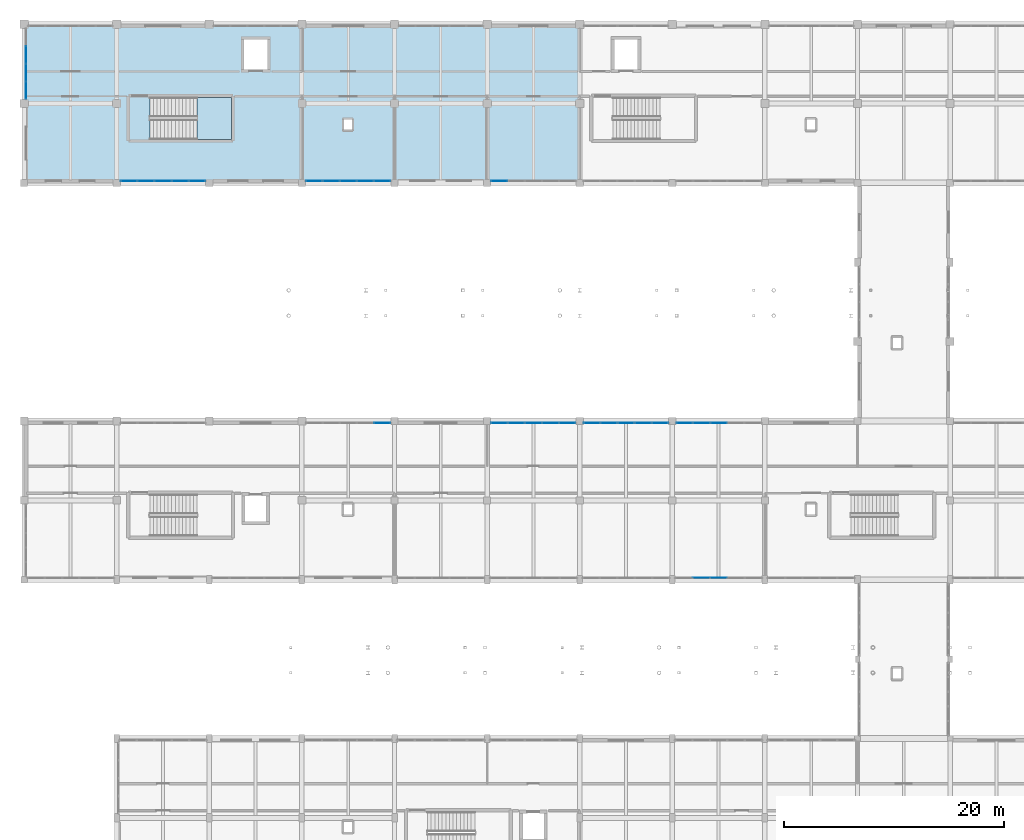
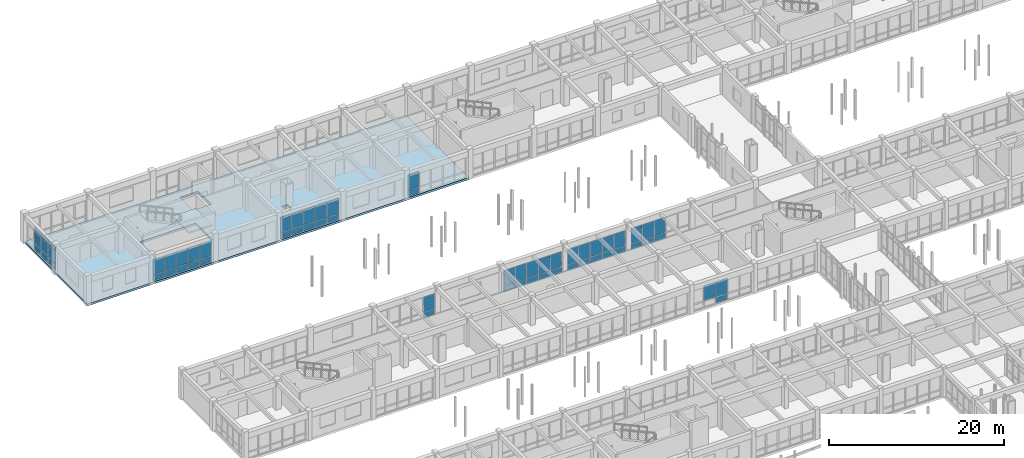
# One storey, part 108 of 147: 62 plates, 2 slabs, 10 elements without a shape of their own.
"""IFC4 building model written with IfcOpenShell, lengths in metres."""

from ifc_helpers import new_model, si_unit, direction, frame, origin, origin_2d, place, context, subcontext, project, spatial, polyline, rectangle, outline, extrude, material, layer, layer_set, type_object, element, aggregate, save


model = new_model("IFC4")

# Units and contexts
model_context = context("Model", 3, precision=1e-05, world=origin(), true_north=direction((0.0, 1.0)))
body_context = subcontext(model_context, "Body", "Model", "MODEL_VIEW")
ifc_project = project(units=[si_unit("LENGTHUNIT", "METRE"), si_unit("AREAUNIT", "SQUARE_METRE"), si_unit("VOLUMEUNIT", "CUBIC_METRE"), si_unit("PLANEANGLEUNIT", "RADIAN"), si_unit("MASSUNIT", "GRAM", prefix="KILO")], contexts=[model_context])

# Site, building, storey
site_placement = place(None, origin())
site = spatial("IfcSite", under=ifc_project, at=site_placement, CompositionType="ELEMENT")
building_placement = place(site_placement, origin())
building = spatial("IfcBuilding", under=site, at=building_placement, Name="Malvenik Polytechnic", CompositionType="ELEMENT")
storey_placement = place(building_placement, frame((0.0, 0.0, 5.10009765625)))
storey = spatial("IfcBuildingStorey", under=building, at=storey_placement, Name="L01", CompositionType="ELEMENT", Elevation=5.10009765625)

# Curtain wall, plates
ifc_material_1 = material(Name="Anodised aluminium 6060-T6", Category="aluminium")
curtain_wall_type_1 = type_object("IfcCurtainWallType", Name="ARC-CW-CW-02", PredefinedType="NOTDEFINED", material=ifc_material_1)
curtain_wall_1_placement = place(storey_placement, origin())
curtain_wall_1 = element("IfcCurtainWall", 1, at=curtain_wall_1_placement, inside=storey, type_object=curtain_wall_type_1, Name="Unitised Curtain Wall CW-02 L01 #26", PredefinedType="NOTDEFINED")
ifc_material_2 = material(Name="Insulated low-E double glazing 8-16-8", Category="glass")
ifc_layer_1 = layer(ifc_material_2, 0.028076171875)
ifc_layer_set_1 = layer_set([ifc_layer_1], Name="Insulated low-E double glazing 8-16-8")
plate_type_1 = type_object("IfcPlateType", Name="ARC-CWP-CP-GLZ28", PredefinedType="CURTAIN_PANEL", material=ifc_layer_set_1)
plate_1_placement = place(storey_placement, frame((63.0, 79.3701171875, 0.929931640625), z_axis=(0.0, 0.0, 1.0), x_axis=(-1.0, 0.0, 0.0)))
plate_1 = element("IfcPlate", 2, at=plate_1_placement, type_object=plate_type_1, Name="CW-02 panel 3.2", PredefinedType="CURTAIN_PANEL", context=body_context, shape_type="SweptSolid", body=[
    extrude(rectangle(XDim=1.520751953125, YDim=0.028076171875, at=origin_2d()), origin(), (0.0, 0.0, 1.0), 2.1201171875),
])
plate_2_placement = place(storey_placement, frame((61.419189453125, 79.3701171875, 0.929931640625), z_axis=(0.0, 0.0, 1.0), x_axis=(-1.0, 0.0, 0.0)))
plate_2 = element("IfcPlate", 3, at=plate_2_placement, type_object=plate_type_1, Name="CW-02 panel 4.2", PredefinedType="CURTAIN_PANEL", context=body_context, shape_type="SweptSolid", body=[
    extrude(rectangle(XDim=1.520751953125, YDim=0.028076171875, at=origin_2d()), origin(), (0.0, 0.0, 1.0), 2.1201171875),
])

# Curtain wall, plate
curtain_wall_2_placement = place(storey_placement, origin())
curtain_wall_2 = element("IfcCurtainWall", 4, at=curtain_wall_2_placement, inside=storey, type_object=curtain_wall_type_1, Name="Unitised Curtain Wall CW-02 L01 #34", PredefinedType="NOTDEFINED")
plate_3_placement = place(storey_placement, frame((32.489013671875, 93.429931640625, 0.929931640625), z_axis=(0.0, 0.0, 1.0), x_axis=(1.0, 0.0, 0.0)))
plate_3 = element("IfcPlate", 5, at=plate_3_placement, type_object=plate_type_1, Name="CW-02 panel 5.2", PredefinedType="CURTAIN_PANEL", context=body_context, shape_type="SweptSolid", body=[
    extrude(rectangle(XDim=1.455810546875, YDim=0.028076171875, at=origin_2d()), origin(), (0.0, 0.0, 1.0), 2.1201171875),
])

# Curtain wall, plates
curtain_wall_3_placement = place(storey_placement, origin())
curtain_wall_3 = element("IfcCurtainWall", 6, at=curtain_wall_3_placement, inside=storey, type_object=curtain_wall_type_1, Name="Unitised Curtain Wall CW-02 L01 #35", PredefinedType="NOTDEFINED")
plate_4_placement = place(storey_placement, frame((43.11328125, 93.429931640625, 0.929931640625), z_axis=(0.0, 0.0, 1.0), x_axis=(1.0, 0.0, 0.0)))
plate_4 = element("IfcPlate", 7, at=plate_4_placement, type_object=plate_type_1, Name="CW-02 panel 1.2", PredefinedType="CURTAIN_PANEL", context=body_context, shape_type="SweptSolid", body=[
    extrude(rectangle(XDim=1.460693359375, YDim=0.028076171875, at=origin_2d()), origin(), (0.0, 0.0, 1.0), 2.1201171875),
])
plate_5_placement = place(storey_placement, frame((44.649169921875, 93.429931640625, 0.929931640625), z_axis=(0.0, 0.0, 1.0), x_axis=(1.0, 0.0, 0.0)))
plate_5 = element("IfcPlate", 8, at=plate_5_placement, type_object=plate_type_1, Name="CW-02 panel 2.2", PredefinedType="CURTAIN_PANEL", context=body_context, shape_type="SweptSolid", body=[
    extrude(rectangle(XDim=1.49072265625, YDim=0.028076171875, at=origin_2d()), origin(), (0.0, 0.0, 1.0), 2.1201171875),
])
plate_6_placement = place(storey_placement, frame((46.199951171875, 93.429931640625, 0.929931640625), z_axis=(0.0, 0.0, 1.0), x_axis=(1.0, 0.0, 0.0)))
plate_6 = element("IfcPlate", 9, at=plate_6_placement, type_object=plate_type_1, Name="CW-02 panel 3.2", PredefinedType="CURTAIN_PANEL", context=body_context, shape_type="SweptSolid", body=[
    extrude(rectangle(XDim=1.49072265625, YDim=0.028076171875, at=origin_2d()), origin(), (0.0, 0.0, 1.0), 2.1201171875),
])
plate_7_placement = place(storey_placement, frame((47.750732421875, 93.429931640625, 0.929931640625), z_axis=(0.0, 0.0, 1.0), x_axis=(1.0, 0.0, 0.0)))
plate_7 = element("IfcPlate", 10, at=plate_7_placement, type_object=plate_type_1, Name="CW-02 panel 4.2", PredefinedType="CURTAIN_PANEL", context=body_context, shape_type="SweptSolid", body=[
    extrude(rectangle(XDim=1.49072265625, YDim=0.028076171875, at=origin_2d()), origin(), (0.0, 0.0, 1.0), 2.1201171875),
])
plate_8_placement = place(storey_placement, frame((49.28662109375, 93.429931640625, 0.929931640625), z_axis=(0.0, 0.0, 1.0), x_axis=(1.0, 0.0, 0.0)))
plate_8 = element("IfcPlate", 11, at=plate_8_placement, type_object=plate_type_1, Name="CW-02 panel 5.2", PredefinedType="CURTAIN_PANEL", context=body_context, shape_type="SweptSolid", body=[
    extrude(rectangle(XDim=1.460693359375, YDim=0.028076171875, at=origin_2d()), origin(), (0.0, 0.0, 1.0), 2.1201171875),
])

curtain_wall_4_placement = place(storey_placement, origin())
curtain_wall_4 = element("IfcCurtainWall", 12, at=curtain_wall_4_placement, inside=storey, type_object=curtain_wall_type_1, Name="Unitised Curtain Wall CW-02 L01 #36", PredefinedType="NOTDEFINED")
plate_9_placement = place(storey_placement, frame((51.513427734375, 93.429931640625, 0.929931640625), z_axis=(0.0, 0.0, 1.0), x_axis=(1.0, 0.0, 0.0)))
plate_9 = element("IfcPlate", 13, at=plate_9_placement, type_object=plate_type_1, Name="CW-02 panel 1.2", PredefinedType="CURTAIN_PANEL", context=body_context, shape_type="SweptSolid", body=[
    extrude(rectangle(XDim=1.460693359375, YDim=0.028076171875, at=origin_2d()), origin(), (0.0, 0.0, 1.0), 2.1201171875),
])
plate_10_placement = place(storey_placement, frame((53.04931640625, 93.429931640625, 0.929931640625), z_axis=(0.0, 0.0, 1.0), x_axis=(1.0, 0.0, 0.0)))
plate_10 = element("IfcPlate", 14, at=plate_10_placement, type_object=plate_type_1, Name="CW-02 panel 2.2", PredefinedType="CURTAIN_PANEL", context=body_context, shape_type="SweptSolid", body=[
    extrude(rectangle(XDim=1.49072265625, YDim=0.028076171875, at=origin_2d()), origin(), (0.0, 0.0, 1.0), 2.1201171875),
])
plate_11_placement = place(storey_placement, frame((54.60009765625, 93.429931640625, 0.929931640625), z_axis=(0.0, 0.0, 1.0), x_axis=(1.0, 0.0, 0.0)))
plate_11 = element("IfcPlate", 15, at=plate_11_placement, type_object=plate_type_1, Name="CW-02 panel 3.2", PredefinedType="CURTAIN_PANEL", context=body_context, shape_type="SweptSolid", body=[
    extrude(rectangle(XDim=1.49072265625, YDim=0.028076171875, at=origin_2d()), origin(), (0.0, 0.0, 1.0), 2.1201171875),
])
plate_12_placement = place(storey_placement, frame((56.15087890625, 93.429931640625, 0.929931640625), z_axis=(0.0, 0.0, 1.0), x_axis=(1.0, 0.0, 0.0)))
plate_12 = element("IfcPlate", 16, at=plate_12_placement, type_object=plate_type_1, Name="CW-02 panel 4.2", PredefinedType="CURTAIN_PANEL", context=body_context, shape_type="SweptSolid", body=[
    extrude(rectangle(XDim=1.49072265625, YDim=0.028076171875, at=origin_2d()), origin(), (0.0, 0.0, 1.0), 2.1201171875),
])
plate_13_placement = place(storey_placement, frame((57.6865234375, 93.429931640625, 0.929931640625), z_axis=(0.0, 0.0, 1.0), x_axis=(1.0, 0.0, 0.0)))
plate_13 = element("IfcPlate", 17, at=plate_13_placement, type_object=plate_type_1, Name="CW-02 panel 5.2", PredefinedType="CURTAIN_PANEL", context=body_context, shape_type="SweptSolid", body=[
    extrude(rectangle(XDim=1.460693359375, YDim=0.028076171875, at=origin_2d()), origin(), (0.0, 0.0, 1.0), 2.1201171875),
])

curtain_wall_5_placement = place(storey_placement, origin())
curtain_wall_5 = element("IfcCurtainWall", 18, at=curtain_wall_5_placement, inside=storey, type_object=curtain_wall_type_1, Name="Unitised Curtain Wall CW-02 L01 #37", PredefinedType="NOTDEFINED")
plate_14_placement = place(storey_placement, frame((59.913330078125, 93.429931640625, 0.929931640625), z_axis=(0.0, 0.0, 1.0), x_axis=(1.0, 0.0, 0.0)))
plate_14 = element("IfcPlate", 19, at=plate_14_placement, type_object=plate_type_1, Name="CW-02 panel 1.2", PredefinedType="CURTAIN_PANEL", context=body_context, shape_type="SweptSolid", body=[
    extrude(rectangle(XDim=1.460693359375, YDim=0.028076171875, at=origin_2d()), origin(), (0.0, 0.0, 1.0), 2.1201171875),
])
plate_15_placement = place(storey_placement, frame((61.44921875, 93.429931640625, 0.929931640625), z_axis=(0.0, 0.0, 1.0), x_axis=(1.0, 0.0, 0.0)))
plate_15 = element("IfcPlate", 20, at=plate_15_placement, type_object=plate_type_1, Name="CW-02 panel 2.2", PredefinedType="CURTAIN_PANEL", context=body_context, shape_type="SweptSolid", body=[
    extrude(rectangle(XDim=1.49072265625, YDim=0.028076171875, at=origin_2d()), origin(), (0.0, 0.0, 1.0), 2.1201171875),
])
plate_16_placement = place(storey_placement, frame((63.0, 93.429931640625, 0.929931640625), z_axis=(0.0, 0.0, 1.0), x_axis=(1.0, 0.0, 0.0)))
plate_16 = element("IfcPlate", 21, at=plate_16_placement, type_object=plate_type_1, Name="CW-02 panel 3.2", PredefinedType="CURTAIN_PANEL", context=body_context, shape_type="SweptSolid", body=[
    extrude(rectangle(XDim=1.49072265625, YDim=0.028076171875, at=origin_2d()), origin(), (0.0, 0.0, 1.0), 2.1201171875),
])

# Curtain wall, plate
curtain_wall_6_placement = place(storey_placement, origin())
curtain_wall_6 = element("IfcCurtainWall", 22, at=curtain_wall_6_placement, inside=storey, type_object=curtain_wall_type_1, Name="Unitised Curtain Wall CW-02 L01 #41", PredefinedType="NOTDEFINED")
plate_17_placement = place(storey_placement, frame((43.11328125, 115.3701171875, 0.929931640625), z_axis=(0.0, 0.0, 1.0), x_axis=(-1.0, 0.0, 0.0)))
plate_17 = element("IfcPlate", 23, at=plate_17_placement, type_object=plate_type_1, Name="CW-02 panel 5.2", PredefinedType="CURTAIN_PANEL", context=body_context, shape_type="SweptSolid", body=[
    extrude(rectangle(XDim=1.460693359375, YDim=0.028076171875, at=origin_2d()), origin(), (0.0, 0.0, 1.0), 2.1201171875),
])

# Curtain wall, plates
curtain_wall_7_placement = place(storey_placement, origin())
curtain_wall_7 = element("IfcCurtainWall", 24, at=curtain_wall_7_placement, inside=storey, type_object=curtain_wall_type_1, Name="Unitised Curtain Wall CW-02 L01 #42", PredefinedType="NOTDEFINED")
plate_18_placement = place(storey_placement, frame((32.486572265625, 115.3701171875, 0.929931640625), z_axis=(0.0, 0.0, 1.0), x_axis=(-1.0, 0.0, 0.0)))
plate_18 = element("IfcPlate", 25, at=plate_18_placement, type_object=plate_type_1, Name="CW-02 panel 1.2", PredefinedType="CURTAIN_PANEL", context=body_context, shape_type="SweptSolid", body=[
    extrude(rectangle(XDim=1.460693359375, YDim=0.028076171875, at=origin_2d()), origin(), (0.0, 0.0, 1.0), 2.1201171875),
])
plate_19_placement = place(storey_placement, frame((30.95068359375, 115.3701171875, 0.929931640625), z_axis=(0.0, 0.0, 1.0), x_axis=(-1.0, 0.0, 0.0)))
plate_19 = element("IfcPlate", 26, at=plate_19_placement, type_object=plate_type_1, Name="CW-02 panel 2.2", PredefinedType="CURTAIN_PANEL", context=body_context, shape_type="SweptSolid", body=[
    extrude(rectangle(XDim=1.49072265625, YDim=0.028076171875, at=origin_2d()), origin(), (0.0, 0.0, 1.0), 2.1201171875),
])
plate_20_placement = place(storey_placement, frame((29.39990234375, 115.3701171875, 0.929931640625), z_axis=(0.0, 0.0, 1.0), x_axis=(-1.0, 0.0, 0.0)))
plate_20 = element("IfcPlate", 27, at=plate_20_placement, type_object=plate_type_1, Name="CW-02 panel 3.2", PredefinedType="CURTAIN_PANEL", context=body_context, shape_type="SweptSolid", body=[
    extrude(rectangle(XDim=1.49072265625, YDim=0.028076171875, at=origin_2d()), origin(), (0.0, 0.0, 1.0), 2.1201171875),
])
plate_21_placement = place(storey_placement, frame((27.84912109375, 115.3701171875, 0.929931640625), z_axis=(0.0, 0.0, 1.0), x_axis=(-1.0, 0.0, 0.0)))
plate_21 = element("IfcPlate", 28, at=plate_21_placement, type_object=plate_type_1, Name="CW-02 panel 4.2", PredefinedType="CURTAIN_PANEL", context=body_context, shape_type="SweptSolid", body=[
    extrude(rectangle(XDim=1.49072265625, YDim=0.028076171875, at=origin_2d()), origin(), (0.0, 0.0, 1.0), 2.1201171875),
])
plate_22_placement = place(storey_placement, frame((26.3134765625, 115.3701171875, 0.929931640625), z_axis=(0.0, 0.0, 1.0), x_axis=(-1.0, 0.0, 0.0)))
plate_22 = element("IfcPlate", 29, at=plate_22_placement, type_object=plate_type_1, Name="CW-02 panel 5.2", PredefinedType="CURTAIN_PANEL", context=body_context, shape_type="SweptSolid", body=[
    extrude(rectangle(XDim=1.460693359375, YDim=0.028076171875, at=origin_2d()), origin(), (0.0, 0.0, 1.0), 2.1201171875),
])

curtain_wall_8_placement = place(storey_placement, origin())
curtain_wall_8 = element("IfcCurtainWall", 30, at=curtain_wall_8_placement, inside=storey, type_object=curtain_wall_type_1, Name="Unitised Curtain Wall CW-02 L01 #43", PredefinedType="NOTDEFINED")
plate_23_placement = place(storey_placement, frame((15.6865234375, 115.3701171875, 0.929931640625), z_axis=(0.0, 0.0, 1.0), x_axis=(-1.0, 0.0, 0.0)))
plate_23 = element("IfcPlate", 31, at=plate_23_placement, type_object=plate_type_1, Name="CW-02 panel 1.2", PredefinedType="CURTAIN_PANEL", context=body_context, shape_type="SweptSolid", body=[
    extrude(rectangle(XDim=1.460693359375, YDim=0.028076171875, at=origin_2d()), origin(), (0.0, 0.0, 1.0), 2.1201171875),
])
plate_24_placement = place(storey_placement, frame((14.15087890625, 115.3701171875, 0.929931640625), z_axis=(0.0, 0.0, 1.0), x_axis=(-1.0, 0.0, 0.0)))
plate_24 = element("IfcPlate", 32, at=plate_24_placement, type_object=plate_type_1, Name="CW-02 panel 2.2", PredefinedType="CURTAIN_PANEL", context=body_context, shape_type="SweptSolid", body=[
    extrude(rectangle(XDim=1.49072265625, YDim=0.028076171875, at=origin_2d()), origin(), (0.0, 0.0, 1.0), 2.1201171875),
])
plate_25_placement = place(storey_placement, frame((12.60009765625, 115.3701171875, 0.929931640625), z_axis=(0.0, 0.0, 1.0), x_axis=(-1.0, 0.0, 0.0)))
plate_25 = element("IfcPlate", 33, at=plate_25_placement, type_object=plate_type_1, Name="CW-02 panel 3.2", PredefinedType="CURTAIN_PANEL", context=body_context, shape_type="SweptSolid", body=[
    extrude(rectangle(XDim=1.49072265625, YDim=0.028076171875, at=origin_2d()), origin(), (0.0, 0.0, 1.0), 2.1201171875),
])
plate_26_placement = place(storey_placement, frame((11.04931640625, 115.3701171875, 0.929931640625), z_axis=(0.0, 0.0, 1.0), x_axis=(-1.0, 0.0, 0.0)))
plate_26 = element("IfcPlate", 34, at=plate_26_placement, type_object=plate_type_1, Name="CW-02 panel 4.2", PredefinedType="CURTAIN_PANEL", context=body_context, shape_type="SweptSolid", body=[
    extrude(rectangle(XDim=1.49072265625, YDim=0.028076171875, at=origin_2d()), origin(), (0.0, 0.0, 1.0), 2.1201171875),
])
plate_27_placement = place(storey_placement, frame((9.513427734375, 115.3701171875, 0.929931640625), z_axis=(0.0, 0.0, 1.0), x_axis=(-1.0, 0.0, 0.0)))
plate_27 = element("IfcPlate", 35, at=plate_27_placement, type_object=plate_type_1, Name="CW-02 panel 5.2", PredefinedType="CURTAIN_PANEL", context=body_context, shape_type="SweptSolid", body=[
    extrude(rectangle(XDim=1.460693359375, YDim=0.028076171875, at=origin_2d()), origin(), (0.0, 0.0, 1.0), 2.1201171875),
])

curtain_wall_type_2 = type_object("IfcCurtainWallType", Name="ARC-CW-CW-05", PredefinedType="NOTDEFINED", material=ifc_material_1)
curtain_wall_9_placement = place(storey_placement, origin())
curtain_wall_9 = element("IfcCurtainWall", 36, at=curtain_wall_9_placement, inside=storey, type_object=curtain_wall_type_2, Name="Unitised Curtain Wall CW-05 L01 #44", PredefinedType="NOTDEFINED")
plate_28_placement = place(storey_placement, frame((0.169921875, 123.5947265625, 0.97998046875), z_axis=(0.0, 0.0, 1.0), x_axis=(0.0, 1.0, 0.0)))
plate_28 = element("IfcPlate", 37, at=plate_28_placement, type_object=plate_type_1, Name="CW-05 panel 1.2", PredefinedType="CURTAIN_PANEL", context=body_context, shape_type="SweptSolid", body=[
    extrude(rectangle(XDim=1.5234375, YDim=0.028076171875, at=origin_2d()), origin(), (0.0, 0.0, 1.0), 1.64990234375),
])
plate_29_placement = place(storey_placement, frame((0.169921875, 123.5947265625, 2.68994140625), z_axis=(0.0, 0.0, 1.0), x_axis=(0.0, 1.0, 0.0)))
plate_29 = element("IfcPlate", 38, at=plate_29_placement, type_object=plate_type_1, Name="CW-05 panel 1.3", PredefinedType="CURTAIN_PANEL", context=body_context, shape_type="SweptSolid", body=[
    extrude(rectangle(XDim=1.5234375, YDim=0.028076171875, at=origin_2d()), origin(), (0.0, 0.0, 1.0), 0.56005859375),
])
plate_30_placement = place(storey_placement, frame((0.169921875, 125.193359375, 0.97998046875), z_axis=(0.0, 0.0, 1.0), x_axis=(0.0, 1.0, 0.0)))
plate_30 = element("IfcPlate", 39, at=plate_30_placement, type_object=plate_type_1, Name="CW-05 panel 2.2", PredefinedType="CURTAIN_PANEL", context=body_context, shape_type="SweptSolid", body=[
    extrude(rectangle(XDim=1.553466796875, YDim=0.028076171875, at=origin_2d()), origin(), (0.0, 0.0, 1.0), 1.64990234375),
])
plate_31_placement = place(storey_placement, frame((0.169921875, 125.193359375, 2.68994140625), z_axis=(0.0, 0.0, 1.0), x_axis=(0.0, 1.0, 0.0)))
plate_31 = element("IfcPlate", 40, at=plate_31_placement, type_object=plate_type_1, Name="CW-05 panel 2.3", PredefinedType="CURTAIN_PANEL", context=body_context, shape_type="SweptSolid", body=[
    extrude(rectangle(XDim=1.553466796875, YDim=0.028076171875, at=origin_2d()), origin(), (0.0, 0.0, 1.0), 0.56005859375),
])
plate_32_placement = place(storey_placement, frame((0.169921875, 126.806640625, 0.97998046875), z_axis=(0.0, 0.0, 1.0), x_axis=(0.0, 1.0, 0.0)))
plate_32 = element("IfcPlate", 41, at=plate_32_placement, type_object=plate_type_1, Name="CW-05 panel 3.2", PredefinedType="CURTAIN_PANEL", context=body_context, shape_type="SweptSolid", body=[
    extrude(rectangle(XDim=1.553466796875, YDim=0.028076171875, at=origin_2d()), origin(), (0.0, 0.0, 1.0), 1.64990234375),
])
plate_33_placement = place(storey_placement, frame((0.169921875, 126.806640625, 2.68994140625), z_axis=(0.0, 0.0, 1.0), x_axis=(0.0, 1.0, 0.0)))
plate_33 = element("IfcPlate", 42, at=plate_33_placement, type_object=plate_type_1, Name="CW-05 panel 3.3", PredefinedType="CURTAIN_PANEL", context=body_context, shape_type="SweptSolid", body=[
    extrude(rectangle(XDim=1.553466796875, YDim=0.028076171875, at=origin_2d()), origin(), (0.0, 0.0, 1.0), 0.56005859375),
])

# Plate
ifc_material_3 = material(Name="Insulated aluminium spandrel cassette 42mm", Category="aluminium")
ifc_layer_2 = layer(ifc_material_3, 0.0419921875)
ifc_layer_set_2 = layer_set([ifc_layer_2], Name="Insulated aluminium spandrel cassette 42mm")
plate_type_2 = type_object("IfcPlateType", Name="ARC-CWP-CP-SPN42", PredefinedType="CURTAIN_PANEL", material=ifc_layer_set_2)
plate_34_placement = place(storey_placement, frame((63.0, 79.3701171875, 0.059814453125), z_axis=(0.0, 0.0, 1.0), x_axis=(-1.0, 0.0, 0.0)))
plate_34 = element("IfcPlate", 43, at=plate_34_placement, type_object=plate_type_2, Name="CW-02 panel 3.1", PredefinedType="CURTAIN_PANEL", context=body_context, shape_type="SweptSolid", body=[
    extrude(rectangle(XDim=1.520751953125, YDim=0.028076171875, at=origin_2d()), origin(), (0.0, 0.0, 1.0), 0.81005859375),
])

aggregate(curtain_wall_1, [plate_34, plate_1, plate_2])

plate_35_placement = place(storey_placement, frame((32.489013671875, 93.429931640625, 0.059814453125), z_axis=(0.0, 0.0, 1.0), x_axis=(1.0, 0.0, 0.0)))
plate_35 = element("IfcPlate", 44, at=plate_35_placement, type_object=plate_type_2, Name="CW-02 panel 5.1", PredefinedType="CURTAIN_PANEL", context=body_context, shape_type="SweptSolid", body=[
    extrude(rectangle(XDim=1.455810546875, YDim=0.028076171875, at=origin_2d()), origin(), (0.0, 0.0, 1.0), 0.81005859375),
])

aggregate(curtain_wall_2, [plate_35, plate_3])

plate_36_placement = place(storey_placement, frame((43.11328125, 93.429931640625, 0.059814453125), z_axis=(0.0, 0.0, 1.0), x_axis=(1.0, 0.0, 0.0)))
plate_36 = element("IfcPlate", 45, at=plate_36_placement, type_object=plate_type_2, Name="CW-02 panel 1.1", PredefinedType="CURTAIN_PANEL", context=body_context, shape_type="SweptSolid", body=[
    extrude(rectangle(XDim=1.460693359375, YDim=0.028076171875, at=origin_2d()), origin(), (0.0, 0.0, 1.0), 0.81005859375),
])

plate_37_placement = place(storey_placement, frame((44.649169921875, 93.429931640625, 0.059814453125), z_axis=(0.0, 0.0, 1.0), x_axis=(1.0, 0.0, 0.0)))
plate_37 = element("IfcPlate", 46, at=plate_37_placement, type_object=plate_type_2, Name="CW-02 panel 2.1", PredefinedType="CURTAIN_PANEL", context=body_context, shape_type="SweptSolid", body=[
    extrude(rectangle(XDim=1.49072265625, YDim=0.028076171875, at=origin_2d()), origin(), (0.0, 0.0, 1.0), 0.81005859375),
])

plate_38_placement = place(storey_placement, frame((46.199951171875, 93.429931640625, 0.059814453125), z_axis=(0.0, 0.0, 1.0), x_axis=(1.0, 0.0, 0.0)))
plate_38 = element("IfcPlate", 47, at=plate_38_placement, type_object=plate_type_2, Name="CW-02 panel 3.1", PredefinedType="CURTAIN_PANEL", context=body_context, shape_type="SweptSolid", body=[
    extrude(rectangle(XDim=1.49072265625, YDim=0.028076171875, at=origin_2d()), origin(), (0.0, 0.0, 1.0), 0.81005859375),
])

plate_39_placement = place(storey_placement, frame((47.750732421875, 93.429931640625, 0.059814453125), z_axis=(0.0, 0.0, 1.0), x_axis=(1.0, 0.0, 0.0)))
plate_39 = element("IfcPlate", 48, at=plate_39_placement, type_object=plate_type_2, Name="CW-02 panel 4.1", PredefinedType="CURTAIN_PANEL", context=body_context, shape_type="SweptSolid", body=[
    extrude(rectangle(XDim=1.49072265625, YDim=0.028076171875, at=origin_2d()), origin(), (0.0, 0.0, 1.0), 0.81005859375),
])

plate_40_placement = place(storey_placement, frame((49.28662109375, 93.429931640625, 0.059814453125), z_axis=(0.0, 0.0, 1.0), x_axis=(1.0, 0.0, 0.0)))
plate_40 = element("IfcPlate", 49, at=plate_40_placement, type_object=plate_type_2, Name="CW-02 panel 5.1", PredefinedType="CURTAIN_PANEL", context=body_context, shape_type="SweptSolid", body=[
    extrude(rectangle(XDim=1.460693359375, YDim=0.028076171875, at=origin_2d()), origin(), (0.0, 0.0, 1.0), 0.81005859375),
])

aggregate(curtain_wall_3, [plate_36, plate_4, plate_37, plate_5, plate_38, plate_6, plate_39, plate_7, plate_40, plate_8])

plate_41_placement = place(storey_placement, frame((51.513427734375, 93.429931640625, 0.059814453125), z_axis=(0.0, 0.0, 1.0), x_axis=(1.0, 0.0, 0.0)))
plate_41 = element("IfcPlate", 50, at=plate_41_placement, type_object=plate_type_2, Name="CW-02 panel 1.1", PredefinedType="CURTAIN_PANEL", context=body_context, shape_type="SweptSolid", body=[
    extrude(rectangle(XDim=1.460693359375, YDim=0.028076171875, at=origin_2d()), origin(), (0.0, 0.0, 1.0), 0.81005859375),
])

plate_42_placement = place(storey_placement, frame((53.04931640625, 93.429931640625, 0.059814453125), z_axis=(0.0, 0.0, 1.0), x_axis=(1.0, 0.0, 0.0)))
plate_42 = element("IfcPlate", 51, at=plate_42_placement, type_object=plate_type_2, Name="CW-02 panel 2.1", PredefinedType="CURTAIN_PANEL", context=body_context, shape_type="SweptSolid", body=[
    extrude(rectangle(XDim=1.49072265625, YDim=0.028076171875, at=origin_2d()), origin(), (0.0, 0.0, 1.0), 0.81005859375),
])

plate_43_placement = place(storey_placement, frame((54.60009765625, 93.429931640625, 0.059814453125), z_axis=(0.0, 0.0, 1.0), x_axis=(1.0, 0.0, 0.0)))
plate_43 = element("IfcPlate", 52, at=plate_43_placement, type_object=plate_type_2, Name="CW-02 panel 3.1", PredefinedType="CURTAIN_PANEL", context=body_context, shape_type="SweptSolid", body=[
    extrude(rectangle(XDim=1.49072265625, YDim=0.028076171875, at=origin_2d()), origin(), (0.0, 0.0, 1.0), 0.81005859375),
])

plate_44_placement = place(storey_placement, frame((56.15087890625, 93.429931640625, 0.059814453125), z_axis=(0.0, 0.0, 1.0), x_axis=(1.0, 0.0, 0.0)))
plate_44 = element("IfcPlate", 53, at=plate_44_placement, type_object=plate_type_2, Name="CW-02 panel 4.1", PredefinedType="CURTAIN_PANEL", context=body_context, shape_type="SweptSolid", body=[
    extrude(rectangle(XDim=1.49072265625, YDim=0.028076171875, at=origin_2d()), origin(), (0.0, 0.0, 1.0), 0.81005859375),
])

plate_45_placement = place(storey_placement, frame((57.6865234375, 93.429931640625, 0.059814453125), z_axis=(0.0, 0.0, 1.0), x_axis=(1.0, 0.0, 0.0)))
plate_45 = element("IfcPlate", 54, at=plate_45_placement, type_object=plate_type_2, Name="CW-02 panel 5.1", PredefinedType="CURTAIN_PANEL", context=body_context, shape_type="SweptSolid", body=[
    extrude(rectangle(XDim=1.460693359375, YDim=0.028076171875, at=origin_2d()), origin(), (0.0, 0.0, 1.0), 0.81005859375),
])

aggregate(curtain_wall_4, [plate_41, plate_9, plate_42, plate_10, plate_43, plate_11, plate_44, plate_12, plate_45, plate_13])

plate_46_placement = place(storey_placement, frame((59.913330078125, 93.429931640625, 0.059814453125), z_axis=(0.0, 0.0, 1.0), x_axis=(1.0, 0.0, 0.0)))
plate_46 = element("IfcPlate", 55, at=plate_46_placement, type_object=plate_type_2, Name="CW-02 panel 1.1", PredefinedType="CURTAIN_PANEL", context=body_context, shape_type="SweptSolid", body=[
    extrude(rectangle(XDim=1.460693359375, YDim=0.028076171875, at=origin_2d()), origin(), (0.0, 0.0, 1.0), 0.81005859375),
])

plate_47_placement = place(storey_placement, frame((61.44921875, 93.429931640625, 0.059814453125), z_axis=(0.0, 0.0, 1.0), x_axis=(1.0, 0.0, 0.0)))
plate_47 = element("IfcPlate", 56, at=plate_47_placement, type_object=plate_type_2, Name="CW-02 panel 2.1", PredefinedType="CURTAIN_PANEL", context=body_context, shape_type="SweptSolid", body=[
    extrude(rectangle(XDim=1.49072265625, YDim=0.028076171875, at=origin_2d()), origin(), (0.0, 0.0, 1.0), 0.81005859375),
])

plate_48_placement = place(storey_placement, frame((63.0, 93.429931640625, 0.059814453125), z_axis=(0.0, 0.0, 1.0), x_axis=(1.0, 0.0, 0.0)))
plate_48 = element("IfcPlate", 57, at=plate_48_placement, type_object=plate_type_2, Name="CW-02 panel 3.1", PredefinedType="CURTAIN_PANEL", context=body_context, shape_type="SweptSolid", body=[
    extrude(rectangle(XDim=1.49072265625, YDim=0.028076171875, at=origin_2d()), origin(), (0.0, 0.0, 1.0), 0.81005859375),
])

aggregate(curtain_wall_5, [plate_46, plate_14, plate_47, plate_15, plate_48, plate_16])

plate_49_placement = place(storey_placement, frame((43.11328125, 115.3701171875, 0.059814453125), z_axis=(0.0, 0.0, 1.0), x_axis=(-1.0, 0.0, 0.0)))
plate_49 = element("IfcPlate", 58, at=plate_49_placement, type_object=plate_type_2, Name="CW-02 panel 5.1", PredefinedType="CURTAIN_PANEL", context=body_context, shape_type="SweptSolid", body=[
    extrude(rectangle(XDim=1.460693359375, YDim=0.028076171875, at=origin_2d()), origin(), (0.0, 0.0, 1.0), 0.81005859375),
])

aggregate(curtain_wall_6, [plate_49, plate_17])

plate_50_placement = place(storey_placement, frame((32.486572265625, 115.3701171875, 0.059814453125), z_axis=(0.0, 0.0, 1.0), x_axis=(-1.0, 0.0, 0.0)))
plate_50 = element("IfcPlate", 59, at=plate_50_placement, type_object=plate_type_2, Name="CW-02 panel 1.1", PredefinedType="CURTAIN_PANEL", context=body_context, shape_type="SweptSolid", body=[
    extrude(rectangle(XDim=1.460693359375, YDim=0.028076171875, at=origin_2d()), origin(), (0.0, 0.0, 1.0), 0.81005859375),
])

plate_51_placement = place(storey_placement, frame((30.95068359375, 115.3701171875, 0.059814453125), z_axis=(0.0, 0.0, 1.0), x_axis=(-1.0, 0.0, 0.0)))
plate_51 = element("IfcPlate", 60, at=plate_51_placement, type_object=plate_type_2, Name="CW-02 panel 2.1", PredefinedType="CURTAIN_PANEL", context=body_context, shape_type="SweptSolid", body=[
    extrude(rectangle(XDim=1.49072265625, YDim=0.028076171875, at=origin_2d()), origin(), (0.0, 0.0, 1.0), 0.81005859375),
])

plate_52_placement = place(storey_placement, frame((29.39990234375, 115.3701171875, 0.059814453125), z_axis=(0.0, 0.0, 1.0), x_axis=(-1.0, 0.0, 0.0)))
plate_52 = element("IfcPlate", 61, at=plate_52_placement, type_object=plate_type_2, Name="CW-02 panel 3.1", PredefinedType="CURTAIN_PANEL", context=body_context, shape_type="SweptSolid", body=[
    extrude(rectangle(XDim=1.49072265625, YDim=0.028076171875, at=origin_2d()), origin(), (0.0, 0.0, 1.0), 0.81005859375),
])

plate_53_placement = place(storey_placement, frame((27.84912109375, 115.3701171875, 0.059814453125), z_axis=(0.0, 0.0, 1.0), x_axis=(-1.0, 0.0, 0.0)))
plate_53 = element("IfcPlate", 62, at=plate_53_placement, type_object=plate_type_2, Name="CW-02 panel 4.1", PredefinedType="CURTAIN_PANEL", context=body_context, shape_type="SweptSolid", body=[
    extrude(rectangle(XDim=1.49072265625, YDim=0.028076171875, at=origin_2d()), origin(), (0.0, 0.0, 1.0), 0.81005859375),
])

plate_54_placement = place(storey_placement, frame((26.3134765625, 115.3701171875, 0.059814453125), z_axis=(0.0, 0.0, 1.0), x_axis=(-1.0, 0.0, 0.0)))
plate_54 = element("IfcPlate", 63, at=plate_54_placement, type_object=plate_type_2, Name="CW-02 panel 5.1", PredefinedType="CURTAIN_PANEL", context=body_context, shape_type="SweptSolid", body=[
    extrude(rectangle(XDim=1.460693359375, YDim=0.028076171875, at=origin_2d()), origin(), (0.0, 0.0, 1.0), 0.81005859375),
])

aggregate(curtain_wall_7, [plate_50, plate_18, plate_51, plate_19, plate_52, plate_20, plate_53, plate_21, plate_54, plate_22])

plate_55_placement = place(storey_placement, frame((15.6865234375, 115.3701171875, 0.059814453125), z_axis=(0.0, 0.0, 1.0), x_axis=(-1.0, 0.0, 0.0)))
plate_55 = element("IfcPlate", 64, at=plate_55_placement, type_object=plate_type_2, Name="CW-02 panel 1.1", PredefinedType="CURTAIN_PANEL", context=body_context, shape_type="SweptSolid", body=[
    extrude(rectangle(XDim=1.460693359375, YDim=0.028076171875, at=origin_2d()), origin(), (0.0, 0.0, 1.0), 0.81005859375),
])

plate_56_placement = place(storey_placement, frame((14.15087890625, 115.3701171875, 0.059814453125), z_axis=(0.0, 0.0, 1.0), x_axis=(-1.0, 0.0, 0.0)))
plate_56 = element("IfcPlate", 65, at=plate_56_placement, type_object=plate_type_2, Name="CW-02 panel 2.1", PredefinedType="CURTAIN_PANEL", context=body_context, shape_type="SweptSolid", body=[
    extrude(rectangle(XDim=1.49072265625, YDim=0.028076171875, at=origin_2d()), origin(), (0.0, 0.0, 1.0), 0.81005859375),
])

plate_57_placement = place(storey_placement, frame((12.60009765625, 115.3701171875, 0.059814453125), z_axis=(0.0, 0.0, 1.0), x_axis=(-1.0, 0.0, 0.0)))
plate_57 = element("IfcPlate", 66, at=plate_57_placement, type_object=plate_type_2, Name="CW-02 panel 3.1", PredefinedType="CURTAIN_PANEL", context=body_context, shape_type="SweptSolid", body=[
    extrude(rectangle(XDim=1.49072265625, YDim=0.028076171875, at=origin_2d()), origin(), (0.0, 0.0, 1.0), 0.81005859375),
])

plate_58_placement = place(storey_placement, frame((11.04931640625, 115.3701171875, 0.059814453125), z_axis=(0.0, 0.0, 1.0), x_axis=(-1.0, 0.0, 0.0)))
plate_58 = element("IfcPlate", 67, at=plate_58_placement, type_object=plate_type_2, Name="CW-02 panel 4.1", PredefinedType="CURTAIN_PANEL", context=body_context, shape_type="SweptSolid", body=[
    extrude(rectangle(XDim=1.49072265625, YDim=0.028076171875, at=origin_2d()), origin(), (0.0, 0.0, 1.0), 0.81005859375),
])

plate_59_placement = place(storey_placement, frame((9.513427734375, 115.3701171875, 0.059814453125), z_axis=(0.0, 0.0, 1.0), x_axis=(-1.0, 0.0, 0.0)))
plate_59 = element("IfcPlate", 68, at=plate_59_placement, type_object=plate_type_2, Name="CW-02 panel 5.1", PredefinedType="CURTAIN_PANEL", context=body_context, shape_type="SweptSolid", body=[
    extrude(rectangle(XDim=1.460693359375, YDim=0.028076171875, at=origin_2d()), origin(), (0.0, 0.0, 1.0), 0.81005859375),
])

aggregate(curtain_wall_8, [plate_55, plate_23, plate_56, plate_24, plate_57, plate_25, plate_58, plate_26, plate_59, plate_27])

plate_60_placement = place(storey_placement, frame((0.169921875, 123.5947265625, 0.06005859375), z_axis=(0.0, 0.0, 1.0), x_axis=(0.0, 1.0, 0.0)))
plate_60 = element("IfcPlate", 69, at=plate_60_placement, type_object=plate_type_2, Name="CW-05 panel 1.1", PredefinedType="CURTAIN_PANEL", context=body_context, shape_type="SweptSolid", body=[
    extrude(rectangle(XDim=1.5234375, YDim=0.028076171875, at=origin_2d()), origin(), (0.0, 0.0, 1.0), 0.860107421875),
])

plate_61_placement = place(storey_placement, frame((0.169921875, 125.193359375, 0.06005859375), z_axis=(0.0, 0.0, 1.0), x_axis=(0.0, 1.0, 0.0)))
plate_61 = element("IfcPlate", 70, at=plate_61_placement, type_object=plate_type_2, Name="CW-05 panel 2.1", PredefinedType="CURTAIN_PANEL", context=body_context, shape_type="SweptSolid", body=[
    extrude(rectangle(XDim=1.553466796875, YDim=0.028076171875, at=origin_2d()), origin(), (0.0, 0.0, 1.0), 0.860107421875),
])

plate_62_placement = place(storey_placement, frame((0.169921875, 126.806640625, 0.06005859375), z_axis=(0.0, 0.0, 1.0), x_axis=(0.0, 1.0, 0.0)))
plate_62 = element("IfcPlate", 71, at=plate_62_placement, type_object=plate_type_2, Name="CW-05 panel 3.1", PredefinedType="CURTAIN_PANEL", context=body_context, shape_type="SweptSolid", body=[
    extrude(rectangle(XDim=1.553466796875, YDim=0.028076171875, at=origin_2d()), origin(), (0.0, 0.0, 1.0), 0.860107421875),
])

aggregate(curtain_wall_9, [plate_60, plate_28, plate_29, plate_61, plate_30, plate_31, plate_62, plate_32, plate_33])

# Stair, slab
ifc_material_4 = material(Name="Concrete C35/45", Category="concrete")
stair_type = type_object("IfcStairType", Name="ARC-STR-ST-01", PredefinedType="HALF_TURN_STAIR", material=ifc_material_4)
stair_placement = place(storey_placement, origin())
stair = element("IfcStair", 72, at=stair_placement, inside=storey, type_object=stair_type, Name="L01 Escape Stair ST-01", PredefinedType="HALF_TURN_STAIR")
ifc_layer_3 = layer(ifc_material_4, 0.199951171875)
ifc_layer_set_3 = layer_set([ifc_layer_3], Name="Concrete C35/45")
slab_type_1 = type_object("IfcSlabType", Name="ARC-SLB-STLND", PredefinedType="LANDING", material=ifc_layer_set_3)
slab_1_placement = place(storey_placement, frame((0.0, 0.0, 1.89990234375)))
slab_1 = element("IfcSlab", 73, at=slab_1_placement, type_object=slab_type_1, Name="ST-01 landing 1", PredefinedType="LANDING", context=body_context, shape_type="SweptSolid", body=[
    extrude(outline(polyline([(15.68994140625, 119.14990234375), (18.800048828125, 119.14990234375), (18.800048828125, 122.949951171875), (15.68994140625, 122.949951171875), (15.68994140625, 119.14990234375)])), origin(), (0.0, 0.0, 1.0), 0.199951171875),
])
aggregate(stair, [slab_1])

# Slab
ifc_layer_4 = layer(ifc_material_4, 0.280029296875)
ifc_layer_set_4 = layer_set([ifc_layer_4], Name="Concrete C35/45")
slab_type_2 = type_object("IfcSlabType", Name="STR-SLB-FLR-280", PredefinedType="FLOOR", material=ifc_layer_set_4)
slab_2_placement = place(storey_placement, frame((0.0, 0.0, -0.280029296875)))
element("IfcSlab", 74, at=slab_2_placement, inside=storey, type_object=slab_type_2, Name="Structural Slab L01-V1 #46", PredefinedType="FLOOR", context=body_context, shape_type="SweptSolid", body=[
    extrude(outline(polyline([(0.0, 129.60009765625), (50.3798828125, 129.60009765625), (50.3798828125, 115.199951171875), (0.0, 115.199951171875), (0.0, 129.60009765625)]), holes=[polyline([(29.75, 120.949951171875), (29.0, 120.949951171875), (29.0, 120.0), (29.75, 120.0), (29.75, 120.949951171875)]), polyline([(18.800048828125, 119.14990234375), (18.800048828125, 122.949951171875), (11.41796875, 122.949951171875), (11.41796875, 119.14990234375), (18.800048828125, 119.14990234375)]), polyline([(22.199951171875, 128.35009765625), (19.800048828125, 128.35009765625), (19.800048828125, 125.35009765625), (22.199951171875, 125.35009765625), (22.199951171875, 128.35009765625)])]), origin(), (0.0, 0.0, 1.0), 0.280029296875),
])

save(model, "model.ifc")
